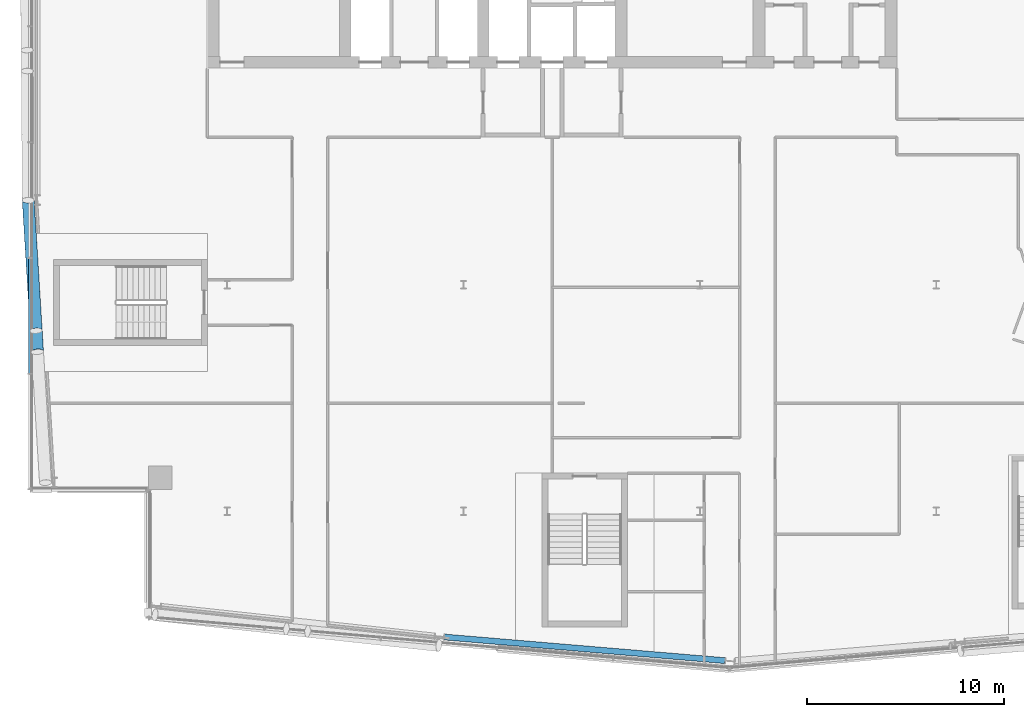
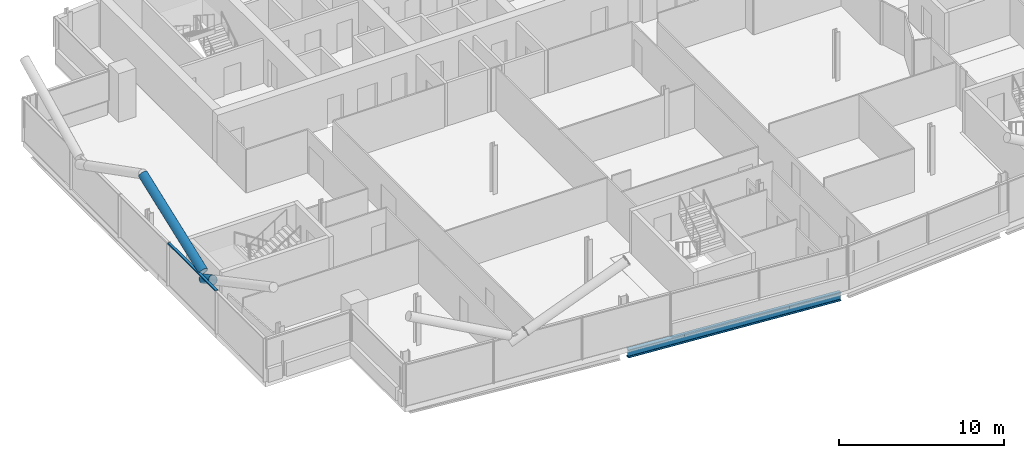
# One storey, part 6 of 28: 3 members, 1 beam, 1 element without a shape of its own.
"""IFC4 building model written with IfcOpenShell, lengths in metres."""

import ifcopenshell
import ifcopenshell.guid

model = None  # the IFC model being written
_history = None  # IfcOwnerHistory: only IFC2X3 demands one
_inside = {}  # id of a spatial element -> (the spatial element, [elements in it])
_under = {}  # id of a project, library or spatial element -> (it, [spatial elements below it])
_declared = {}  # id of a project -> (the project, [libraries it declares])
_typed = {}  # id of a type object -> (the type object, [elements of that type])
_made_of = {}  # id of a material, layer set ... -> (it, [elements and type objects made of it])


def new_model(schema):
    """Start an empty IFC model of exactly this schema.

    Asked for "IFC4X3", IfcOpenShell would pick the latest addendum, in which some entities
    have other attributes; the version numbers below select the first issue.
    IFC2X3 requires an IfcOwnerHistory on every rooted entity: one is made here for all.
    """
    global model, _history
    if schema == "IFC4X3":
        model = ifcopenshell.file(schema_version=(4, 3, 0, 0))
    else:
        model = ifcopenshell.file(schema=schema)
    _inside.clear()
    _under.clear()
    _declared.clear()
    _typed.clear()
    _made_of.clear()
    _history = None
    if model.schema == "IFC2X3":
        org = make("IfcOrganization", Name="unknown")
        user = make(
            "IfcPersonAndOrganization",
            ThePerson=make("IfcPerson", FamilyName="unknown"),
            TheOrganization=org,
        )
        app = make(
            "IfcApplication",
            ApplicationDeveloper=org,
            Version="unknown",
            ApplicationFullName="unknown",
            ApplicationIdentifier="unknown",
        )
        _history = make(
            "IfcOwnerHistory",
            OwningUser=user,
            OwningApplication=app,
            ChangeAction="ADDED",
            CreationDate=0,
        )
    return model


def make(cls, **values):
    """One entity of the class cls with the attributes given. An attribute that is None is left unset."""
    return model.create_entity(
        cls, **{name: value for name, value in values.items() if value is not None}
    )


def rooted(cls, **values):
    """An entity with a GlobalId (a new one), such as an element, a storey or a relation."""
    return make(cls, GlobalId=ifcopenshell.guid.new(), OwnerHistory=_history, **values)


def si_unit(unit_type, name, prefix=None):
    """IfcSIUnit, for example si_unit("LENGTHUNIT", "METRE", prefix="MILLI")."""
    return make("IfcSIUnit", UnitType=unit_type, Prefix=prefix, Name=name)


def assignment(units):
    """IfcUnitAssignment: the units of a project."""
    return None if units is None else make("IfcUnitAssignment", Units=units)


def point(xyz):
    """IfcCartesianPoint."""
    return None if xyz is None else make("IfcCartesianPoint", Coordinates=xyz)


def direction(xyz):
    """IfcDirection."""
    return None if xyz is None else make("IfcDirection", DirectionRatios=xyz)


def frame(location, z_axis=None, x_axis=None):
    """IfcAxis2Placement3D, a coordinate frame: its origin and axes. An axis left out is left unset."""
    return make(
        "IfcAxis2Placement3D",
        Location=point(location),
        Axis=direction(z_axis),
        RefDirection=direction(x_axis),
    )


def frame_2d(location, x_axis=None):
    """IfcAxis2Placement2D, a coordinate frame in the plane: its origin and x axis."""
    return make(
        "IfcAxis2Placement2D", Location=point(location), RefDirection=direction(x_axis)
    )


def origin():
    """The frame at (0, 0, 0) with its axes left unset."""
    return frame((0.0, 0.0, 0.0))


def origin_2d():
    """The frame at (0, 0) in the plane with its x axis left unset."""
    return frame_2d((0.0, 0.0))


def place(relative_to, where):
    """IfcLocalPlacement: puts the frame where relative to a parent placement (None: the world)."""
    return make(
        "IfcLocalPlacement", PlacementRelTo=relative_to, RelativePlacement=where
    )


def context(
    kind, dimensions, precision=None, world=None, true_north=None, identifier=None
):
    """IfcGeometricRepresentationContext, for example the 3D "Model" context."""
    return make(
        "IfcGeometricRepresentationContext",
        ContextIdentifier=identifier,
        ContextType=kind,
        CoordinateSpaceDimension=dimensions,
        Precision=precision,
        WorldCoordinateSystem=world,
        TrueNorth=true_north,
    )


def subcontext(parent, identifier, kind, view, scale=None):
    """IfcGeometricRepresentationSubContext, for example "Body" below "Model"."""
    return make(
        "IfcGeometricRepresentationSubContext",
        ContextIdentifier=identifier,
        ContextType=kind,
        ParentContext=parent,
        TargetScale=scale,
        TargetView=view,
    )


def project(units=None, contexts=None):
    """IfcProject with its units and contexts."""
    return rooted(
        "IfcProject",
        Name="project",
        RepresentationContexts=contexts,
        UnitsInContext=assignment(units),
    )


def spatial(cls, under=None, at=None, **own):
    """A site, building, storey or space (cls), placed at a placement, below another one or the project."""
    s = rooted(cls, ObjectPlacement=at, **own)
    if under is not None:
        _under.setdefault(under.id(), (under, []))[1].append(s)
    return s


def profile(cls, at=None, kind="AREA", **sizes):
    """A parametric profile (cls). Its sizes go by their IFC names, for example OverallWidth=200.0."""
    return make(cls, ProfileType=kind, Position=at, **sizes)


def rectangle(**sizes):
    """IfcRectangleProfileDef."""
    return profile("IfcRectangleProfileDef", **sizes)


def hollow_circle(**sizes):
    """IfcCircleHollowProfileDef."""
    return profile("IfcCircleHollowProfileDef", **sizes)


def i_section(**sizes):
    """IfcIShapeProfileDef."""
    return profile("IfcIShapeProfileDef", **sizes)


def extrude(swept, where, along, depth):
    """IfcExtrudedAreaSolid: the profile swept, set in the frame where, extruded along a direction by depth."""
    return make(
        "IfcExtrudedAreaSolid",
        SweptArea=swept,
        Position=where,
        ExtrudedDirection=direction(along),
        Depth=depth,
    )


def shape(context_of_items, identifier, shape_type, items):
    """IfcShapeRepresentation: the items that make up one representation, for example the "Body"."""
    return make(
        "IfcShapeRepresentation",
        ContextOfItems=context_of_items,
        RepresentationIdentifier=identifier,
        RepresentationType=shape_type,
        Items=items,
    )


def material(Name=None, Category=None):
    """IfcMaterial."""
    return make("IfcMaterial", Name=Name, Category=Category)


def material_profile(
    of_material, cross_section, Name=None, Category=None, Priority=None
):
    """IfcMaterialProfile: a cross section and its material."""
    return make(
        "IfcMaterialProfile",
        Name=Name,
        Material=of_material,
        Profile=cross_section,
        Priority=Priority,
        Category=Category,
    )


def profile_set(profiles, Name=None, composite=None):
    """IfcMaterialProfileSet."""
    return make(
        "IfcMaterialProfileSet",
        Name=Name,
        MaterialProfiles=profiles,
        CompositeProfile=composite,
    )


def made_of(thing, what):
    """Note that an element or type object is made of a material, layer set ...; save() writes the relation."""
    if what is not None:
        _made_of.setdefault(what.id(), (what, []))[1].append(thing)
    return thing


def type_object(cls, material=None, **own):
    """A type object (cls), such as IfcWallType, which elements share."""
    return made_of(rooted(cls, **own), material)


def element(
    cls,
    number,
    at=None,
    inside=None,
    cuts=None,
    type_object=None,
    material=None,
    context=None,
    identifier="Body",
    shape_type=None,
    held_by="IfcProductDefinitionShape",
    body=None,
    shapes=None,
    **own,
):
    """One element of the class cls, such as IfcWall. Its Tag is "e" and its number.

    at: its placement. inside: the storey or other place that contains it. cuts: it is an
    opening in that element (IfcRelVoidsElement). A single representation is given by context,
    identifier, shape_type and body (its items); several are given by shapes. held_by: the class
    of the entity that holds the representations. save() writes the other relations.
    """
    e = rooted(cls, Tag="e%d" % number, ObjectPlacement=at, **own)
    if body is not None:
        shapes = [shape(context, identifier, shape_type, body)]
    if shapes is not None:
        e.Representation = make(held_by, Representations=shapes)
    if inside is not None:
        _inside.setdefault(inside.id(), (inside, []))[1].append(e)
    if cuts is not None:
        rooted(
            "IfcRelVoidsElement", RelatingBuildingElement=cuts, RelatedOpeningElement=e
        )
    if type_object is not None:
        _typed.setdefault(type_object.id(), (type_object, []))[1].append(e)
    return made_of(e, material)


def aggregate(whole, parts):
    """IfcRelAggregates: a whole, such as a stair, and the parts it consists of."""
    return rooted("IfcRelAggregates", RelatingObject=whole, RelatedObjects=parts)


def save(model, path):
    """Write the relations noted so far, then the file.

    IfcRelAggregates (storeys below a building ...), IfcRelContainedInSpatialStructure (elements
    in a storey), IfcRelDefinesByType, IfcRelAssociatesMaterial and IfcRelDeclares: one each for
    every whole, place, type object, material and project.
    """
    for whole, parts in _under.values():
        aggregate(whole, parts)
    for where, things in _inside.values():
        rooted(
            "IfcRelContainedInSpatialStructure",
            RelatedElements=things,
            RelatingStructure=where,
        )
    for kind, things in _typed.values():
        rooted("IfcRelDefinesByType", RelatedObjects=things, RelatingType=kind)
    for what, things in _made_of.values():
        rooted("IfcRelAssociatesMaterial", RelatedObjects=things, RelatingMaterial=what)
    for by, libraries in _declared.values():
        rooted("IfcRelDeclares", RelatingContext=by, RelatedDefinitions=libraries)
    model.write(path)


model = new_model("IFC4")

# Units and contexts
model_context = context("Model", 3, precision=1e-05, world=origin(), true_north=direction((0.0, 1.0)))
body_context = subcontext(model_context, "Body", "Model", "MODEL_VIEW")
ifc_project = project(units=[si_unit("LENGTHUNIT", "METRE"), si_unit("AREAUNIT", "SQUARE_METRE"), si_unit("VOLUMEUNIT", "CUBIC_METRE"), si_unit("PLANEANGLEUNIT", "RADIAN"), si_unit("MASSUNIT", "GRAM", prefix="KILO")], contexts=[model_context])

# Site, building, storey
site_placement = place(None, origin())
site = spatial("IfcSite", under=ifc_project, at=site_placement, CompositionType="ELEMENT")
building_placement = place(site_placement, origin())
building = spatial("IfcBuilding", under=site, at=building_placement, Name="Wharfspan Tower", CompositionType="ELEMENT")
storey_placement = place(building_placement, frame((0.0, 0.0, 253.899902)))
storey = spatial("IfcBuildingStorey", under=building, at=storey_placement, Name="L64", CompositionType="ELEMENT", Elevation=253.899902)

# Member
ifc_material_1 = material(Name="Steel S460NH", Category="steel")
ifc_material_profile_1 = material_profile(ifc_material_1, hollow_circle(Radius=0.304932, WallThickness=0.024902, at=origin_2d()))
ifc_profile_set_1 = profile_set([ifc_material_profile_1], Name="Steel S460NH")
member_type_1 = type_object("IfcMemberType", Name="Brace node tie CHS 610x25", PredefinedType="STRUT", material=ifc_profile_set_1)
member_1_placement = place(storey_placement, frame((14.311523, 20.661621, 2.634033), z_axis=(0.054472, -0.892317, 0.448111), x_axis=(0.99814, 0.06093, -4e-06)))
element("IfcMember", 1, at=member_1_placement, inside=storey, type_object=member_type_1, Name="Brace node tie L64 W4", PredefinedType="STRUT", context=body_context, shape_type="SweptSolid", body=[
    extrude(hollow_circle(Radius=0.304932, WallThickness=0.024902, at=origin_2d()), origin(), (0.0, 0.0, 1.0), 1.187744),
])

# Beam
ifc_material_2 = material(Name="Steel S355J2", Category="steel")
ifc_material_profile_2 = material_profile(ifc_material_2, i_section(OverallWidth=0.300049, OverallDepth=0.600098, WebThickness=0.015381, FlangeThickness=0.030029, FilletRadius=0.0271, at=origin_2d()))
ifc_profile_set_2 = profile_set([ifc_material_profile_2], Name="Steel S355J2")
beam_type = type_object("IfcBeamType", Name="Edge beam HEB 600", PredefinedType="SPANDREL", material=ifc_profile_set_2)
beam_placement = place(storey_placement, frame((35.038574, 5.121582, -0.699951), z_axis=(0.996473, -0.083909, 0.0), x_axis=(0.083909, 0.996473, 0.0)))
element("IfcBeam", 2, at=beam_placement, inside=storey, type_object=beam_type, Name="Edge beam S1 L64 PS1.2 to PS1.3", PredefinedType="SPANDREL", context=body_context, shape_type="SweptSolid", body=[
    extrude(i_section(OverallWidth=0.300049, OverallDepth=0.600098, WebThickness=0.015381, FlangeThickness=0.030029, FilletRadius=0.0271, at=origin_2d()), origin(), (0.0, 0.0, 1.0), 14.277344),
])

# Member
ifc_material_profile_3 = material_profile(ifc_material_1, hollow_circle(Radius=0.304932, WallThickness=0.024902, at=origin_2d()))
ifc_profile_set_3 = profile_set([ifc_material_profile_3], Name="Steel S460NH")
member_type_2 = type_object("IfcMemberType", Name="Mega brace CHS 610x25", PredefinedType="BRACE", material=ifc_profile_set_3)
member_2_placement = place(storey_placement, frame((14.310791, 20.670654, 3.170654), z_axis=(-0.054615, 0.892302, 0.448123), x_axis=(-0.998132, -0.061091, -3e-06)))
element("IfcMember", 3, at=member_2_placement, inside=storey, type_object=member_type_2, Name="Mega brace W4 L64 part 4", PredefinedType="BRACE", context=body_context, shape_type="SweptSolid", body=[
    extrude(hollow_circle(Radius=0.304932, WallThickness=0.024902, at=origin_2d()), origin(), (0.0, 0.0, 1.0), 7.429443),
])

# Curtain wall, member
ifc_material_3 = material(Name="Aluminium 6063-T6", Category="aluminium")
curtain_wall_type = type_object("IfcCurtainWallType", Name="CURTAIN WALL PROW AND END", PredefinedType="NOTDEFINED", material=ifc_material_3)
curtain_wall_placement = place(storey_placement, origin())
curtain_wall = element("IfcCurtainWall", 4, at=curtain_wall_placement, inside=storey, type_object=curtain_wall_type, Name="Curtain wall W", PredefinedType="NOTDEFINED")
ifc_material_profile_4 = material_profile(ifc_material_3, rectangle(XDim=0.179932, YDim=0.080078, at=origin_2d()))
ifc_profile_set_4 = profile_set([ifc_material_profile_4], Name="Aluminium 6063-T6")
member_type_3 = type_object("IfcMemberType", Name="TRANSOM PROW AND END 80x180", PredefinedType="USERDEFINED", material=ifc_profile_set_4)
member_3_placement = place(storey_placement, frame((14.0, 24.330078, 3.160156), z_axis=(0.0, -1.0, 0.0), x_axis=(1.0, 0.0, 0.0)))
member_3 = element("IfcMember", 5, at=member_3_placement, type_object=member_type_3, Name="Curtain wall W transom 4", ObjectType="TRANSOM", PredefinedType="USERDEFINED", context=body_context, shape_type="SweptSolid", body=[
    extrude(rectangle(XDim=0.179932, YDim=0.080078, at=origin_2d()), origin(), (0.0, 0.0, 1.0), 5.820068),
])
aggregate(curtain_wall, [member_3])

save(model, "model.ifc")
